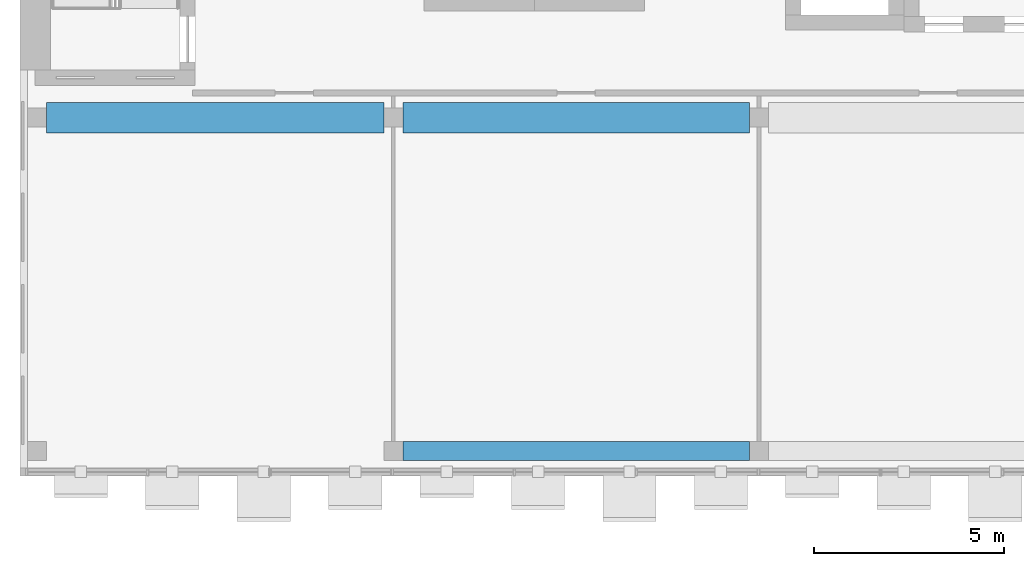
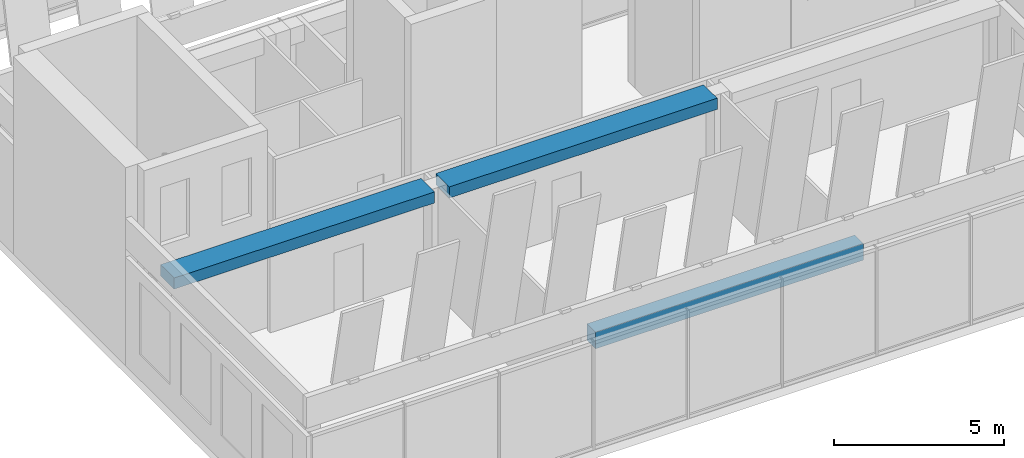
# One storey, part 3 of 26: 3 beams.
"""IFC4 building model written with IfcOpenShell, lengths in metres."""

from ifc_helpers import new_model, si_unit, direction, frame, origin, origin_2d, place, context, subcontext, project, spatial, rectangle, extrude, material, material_profile, profile_set, type_object, element, save


model = new_model("IFC4")

# Units and contexts
model_context = context("Model", 3, precision=1e-05, world=origin(), true_north=direction((0.0, 1.0)))
body_context = subcontext(model_context, "Body", "Model", "MODEL_VIEW")
ifc_project = project(units=[si_unit("LENGTHUNIT", "METRE"), si_unit("AREAUNIT", "SQUARE_METRE"), si_unit("VOLUMEUNIT", "CUBIC_METRE"), si_unit("PLANEANGLEUNIT", "RADIAN"), si_unit("MASSUNIT", "GRAM", prefix="KILO")], contexts=[model_context])

# Site, building, storey
site_placement = place(None, origin())
site = spatial("IfcSite", under=ifc_project, at=site_placement, CompositionType="ELEMENT")
building_placement = place(site_placement, origin())
building = spatial("IfcBuilding", under=site, at=building_placement, Name="Nzadi Deep Aquarium and Research Tower", CompositionType="ELEMENT")
storey_placement = place(building_placement, frame((0.0, 0.0, 78.10009765625)))
storey = spatial("IfcBuildingStorey", under=building, at=storey_placement, Name="L16", CompositionType="ELEMENT", Elevation=78.10009765625)

# Beams
ifc_material_1 = material(Name="Concrete C35/45", Category="concrete")
ifc_material_profile_1 = material_profile(ifc_material_1, rectangle(XDim=0.5, YDim=0.60009765625, at=origin_2d()))
ifc_profile_set_1 = profile_set([ifc_material_profile_1], Name="Concrete C35/45")
beam_type_1 = type_object("IfcBeamType", Name="RC 500x600", PredefinedType="BEAM", material=ifc_profile_set_1)
beam_1_placement = place(storey_placement, frame((9.85009765625, 0.449951171875, 3.599853515625), z_axis=(1.0, 0.0, 0.0), x_axis=(0.0, 1.0, 0.0)))
element("IfcBeam", 1, at=beam_1_placement, inside=storey, type_object=beam_type_1, Name="B-Z1-L16-L1-2", PredefinedType="BEAM", context=body_context, shape_type="SweptSolid", body=[
    extrude(rectangle(XDim=0.5, YDim=0.60009765625, at=origin_2d()), origin(), (0.0, 0.0, 1.0), 9.099853515625),
])
ifc_material_2 = material(Name="Concrete C35/45", Category="concrete")
ifc_material_profile_2 = material_profile(ifc_material_2, rectangle(XDim=0.800048828125, YDim=0.39990234375, at=origin_2d()))
ifc_profile_set_2 = profile_set([ifc_material_profile_2], Name="Concrete C35/45")
beam_type_2 = type_object("IfcBeamType", Name="RC 800x400", PredefinedType="BEAM", material=ifc_profile_set_2)
beam_2_placement = place(storey_placement, frame((0.5, 9.199951171875, 3.699951171875), z_axis=(1.0, 0.0, 0.0), x_axis=(0.0, 1.0, 0.0)))
element("IfcBeam", 2, at=beam_2_placement, inside=storey, type_object=beam_type_2, Name="B-Z1-L16-L2-1", PredefinedType="BEAM", context=body_context, shape_type="SweptSolid", body=[
    extrude(rectangle(XDim=0.800048828125, YDim=0.39990234375, at=origin_2d()), origin(), (0.0, 0.0, 1.0), 8.85009765625),
])
beam_3_placement = place(storey_placement, frame((9.85009765625, 9.199951171875, 3.699951171875), z_axis=(1.0, 0.0, 0.0), x_axis=(0.0, 1.0, 0.0)))
element("IfcBeam", 3, at=beam_3_placement, inside=storey, type_object=beam_type_2, Name="B-Z1-L16-L2-2", PredefinedType="BEAM", context=body_context, shape_type="SweptSolid", body=[
    extrude(rectangle(XDim=0.800048828125, YDim=0.39990234375, at=origin_2d()), origin(), (0.0, 0.0, 1.0), 9.099853515625),
])

save(model, "model.ifc")
